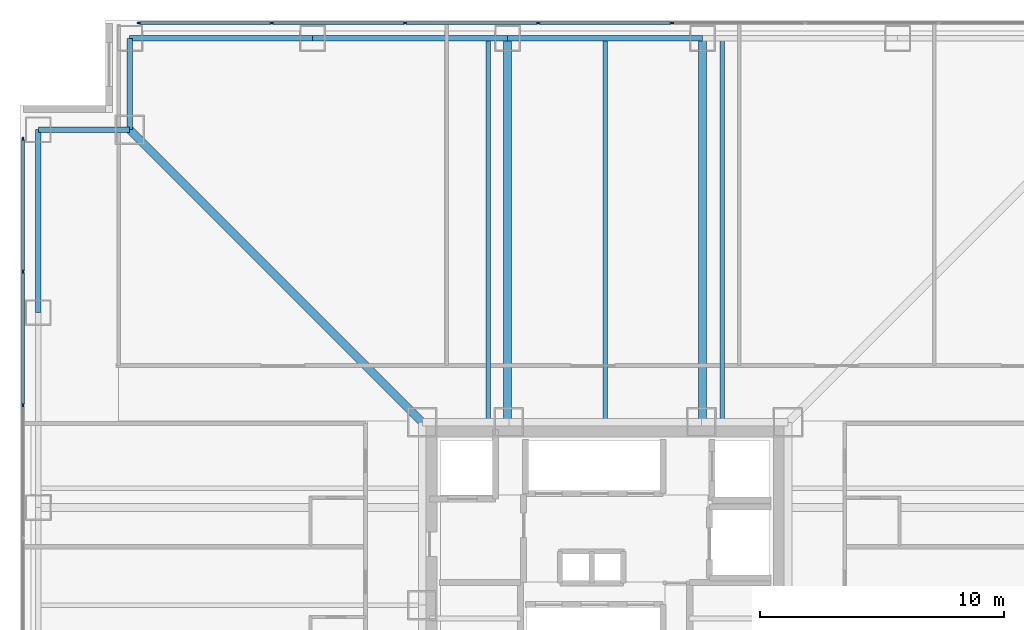
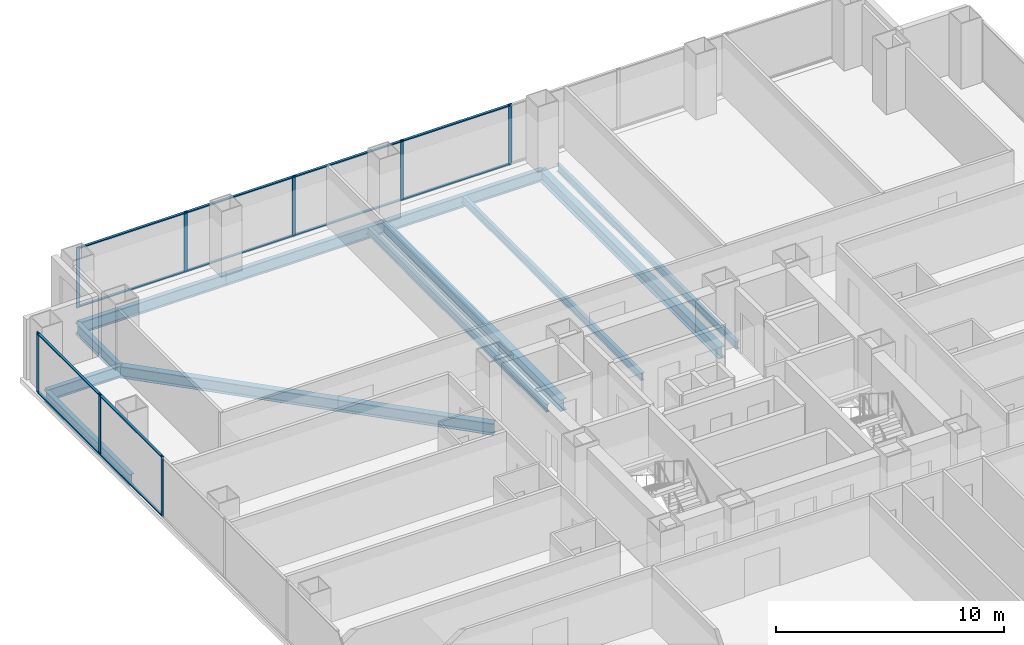
# One storey, part 8 of 16: 20 members, 12 beams, 2 elements without a shape of their own.
"""IFC4 building model written with IfcOpenShell, lengths in metres."""

from ifc_helpers import new_model, si_unit, direction, frame, origin, origin_2d, place, context, subcontext, project, spatial, rectangle, i_section, extrude, material, layer, layer_set, material_profile, profile_set, type_object, element, aggregate, save


model = new_model("IFC4")

# Units and contexts
model_context = context("Model", 3, precision=1e-05, world=origin(), true_north=direction((0.0, 1.0)))
body_context = subcontext(model_context, "Body", "Model", "MODEL_VIEW")
ifc_project = project(units=[si_unit("LENGTHUNIT", "METRE"), si_unit("AREAUNIT", "SQUARE_METRE"), si_unit("VOLUMEUNIT", "CUBIC_METRE"), si_unit("PLANEANGLEUNIT", "RADIAN"), si_unit("MASSUNIT", "GRAM", prefix="KILO")], contexts=[model_context])

# Site, building, storey
site_placement = place(None, origin())
site = spatial("IfcSite", under=ifc_project, at=site_placement, CompositionType="ELEMENT")
building_placement = place(site_placement, origin())
building = spatial("IfcBuilding", under=site, at=building_placement, Name="Trevonay Congress Spire", CompositionType="ELEMENT")
storey_placement = place(building_placement, frame((0.0, 0.0, 51.5)))
storey = spatial("IfcBuildingStorey", under=building, at=storey_placement, Name="L12", CompositionType="ELEMENT", Elevation=51.5)

# Beams
ifc_material_1 = material(Name="Steel ASTM A572 Grade 50", Category="steel")
ifc_material_profile_1 = material_profile(ifc_material_1, i_section(OverallWidth=0.324951171875, OverallDepth=0.615966796875, WebThickness=0.013916015625, FlangeThickness=0.021484375, FilletRadius=0.01806640625, at=origin_2d()), Name="W610x174")
ifc_profile_set_1 = profile_set([ifc_material_profile_1], Name="Steel ASTM A572 Grade 50")
beam_type_1 = type_object("IfcBeamType", Name="BM-GIRD-W610X174", PredefinedType="BEAM", material=ifc_profile_set_1)
beam_1_placement = place(storey_placement, frame((-7.5, 7.5, -0.55810546875), z_axis=(-0.707106781187, 0.707106781187, 0.0), x_axis=(-0.707106781187, -0.707106781187, 0.0)))
element("IfcBeam", 1, at=beam_1_placement, inside=storey, type_object=beam_type_1, Name="L12 structural beam BM-L12-CDNW", PredefinedType="BEAM", context=body_context, shape_type="SweptSolid", body=[
    extrude(i_section(OverallWidth=0.324951171875, OverallDepth=0.615966796875, WebThickness=0.013916015625, FlangeThickness=0.021484375, FilletRadius=0.01806640625, at=origin_2d()), origin(), (0.0, 0.0, 1.0), 16.970458984375),
])
for number, where, z_axis, x_axis, name in (
    (2, (-4.0, 7.5, -0.55810546875), (0.0, 1.0, 0.0), (-1.0, 0.0, 0.0), "L12 structural beam BM-L12-GN-M"),
    (3, (4.0, 7.5, -0.55810546875), (0.0, 1.0, 0.0), (-1.0, 0.0, 0.0), "L12 structural beam BM-L12-GN-P"),
):
    element("IfcBeam", number, at=place(storey_placement, frame(where, z_axis=z_axis, x_axis=x_axis)), inside=storey, type_object=beam_type_1, Name=name, PredefinedType="BEAM", context=body_context, shape_type="SweptSolid", body=[
        extrude(i_section(OverallWidth=0.324951171875, OverallDepth=0.615966796875, WebThickness=0.013916015625, FlangeThickness=0.021484375, FilletRadius=0.01806640625, at=origin_2d()), origin(), (0.0, 0.0, 1.0), 15.75),
    ])
ifc_material_profile_2 = material_profile(ifc_material_1, i_section(OverallWidth=0.22998046875, OverallDepth=0.616943359375, WebThickness=0.01318359375, FlangeThickness=0.022216796875, FilletRadius=0.01611328125, at=origin_2d()), Name="W610x140")
ifc_profile_set_2 = profile_set([ifc_material_profile_2], Name="Steel ASTM A572 Grade 50")
beam_type_2 = type_object("IfcBeamType", Name="BM-RING-W610X140", PredefinedType="BEAM", material=ifc_profile_set_2)
beam_2_placement = place(storey_placement, frame((-19.5, 23.25, -0.55859375), z_axis=(1.0, 0.0, 0.0), x_axis=(0.0, 1.0, 0.0)))
element("IfcBeam", 4, at=beam_2_placement, inside=storey, type_object=beam_type_2, Name="L12 structural beam BM-L12-PN1", PredefinedType="BEAM", context=body_context, shape_type="SweptSolid", body=[
    extrude(i_section(OverallWidth=0.22998046875, OverallDepth=0.616943359375, WebThickness=0.01318359375, FlangeThickness=0.022216796875, FilletRadius=0.01611328125, at=origin_2d()), origin(), (0.0, 0.0, 1.0), 7.5),
])
for number, where, z_axis, x_axis, name in (
    (5, (-12.0, 23.25, -0.55859375), (1.0, 0.0, 0.0), (0.0, 1.0, 0.0), "L12 structural beam BM-L12-PN2"),
    (6, (-4.0, 23.25, -0.55859375), (1.0, 0.0, 0.0), (0.0, 1.0, 0.0), "L12 structural beam BM-L12-PN3"),
):
    element("IfcBeam", number, at=place(storey_placement, frame(where, z_axis=z_axis, x_axis=x_axis)), inside=storey, type_object=beam_type_2, Name=name, PredefinedType="BEAM", context=body_context, shape_type="SweptSolid", body=[
        extrude(i_section(OverallWidth=0.22998046875, OverallDepth=0.616943359375, WebThickness=0.01318359375, FlangeThickness=0.022216796875, FilletRadius=0.01611328125, at=origin_2d()), origin(), (0.0, 0.0, 1.0), 8.0),
    ])
beam_3_placement = place(storey_placement, frame((-23.25, 12.0, -0.55859375), z_axis=(0.0, 1.0, 0.0), x_axis=(-1.0, 0.0, 0.0)))
element("IfcBeam", 7, at=beam_3_placement, inside=storey, type_object=beam_type_2, Name="L12 structural beam BM-L12-PW5", PredefinedType="BEAM", context=body_context, shape_type="SweptSolid", body=[
    extrude(i_section(OverallWidth=0.22998046875, OverallDepth=0.616943359375, WebThickness=0.01318359375, FlangeThickness=0.022216796875, FilletRadius=0.01611328125, at=origin_2d()), origin(), (0.0, 0.0, 1.0), 7.5),
])
for number, where, z_axis, x_axis, name in (
    (8, (-19.5, 23.25, -0.55859375), (0.0, -1.0, 0.0), (1.0, 0.0, 0.0), "L12 structural beam BM-L12-N1NW"),
    (9, (-23.25, 19.5, -0.55859375), (1.0, 0.0, 0.0), (0.0, 1.0, 0.0), "L12 structural beam BM-L12-N2NW"),
):
    element("IfcBeam", number, at=place(storey_placement, frame(where, z_axis=z_axis, x_axis=x_axis)), inside=storey, type_object=beam_type_2, Name=name, PredefinedType="BEAM", context=body_context, shape_type="SweptSolid", body=[
        extrude(i_section(OverallWidth=0.22998046875, OverallDepth=0.616943359375, WebThickness=0.01318359375, FlangeThickness=0.022216796875, FilletRadius=0.01611328125, at=origin_2d()), origin(), (0.0, 0.0, 1.0), 3.75),
    ])

# Curtain wall, members
ifc_material_2 = material(Name="Pale Anodised Aluminium EN AW-6063-T6", Category="aluminium")
ifc_layer = layer(ifc_material_2, 0.179931640625, Name="Pale Anodised Aluminium EN AW-6063-T6")
ifc_layer_set = layer_set([ifc_layer], Name="Pale Anodised Aluminium EN AW-6063-T6")
curtain_wall_type = type_object("IfcCurtainWallType", Name="CW-SYS02-HOTEL-PALE-METAL", PredefinedType="NOTDEFINED", material=ifc_layer_set)
curtain_wall_1_placement = place(storey_placement, origin())
curtain_wall_1 = element("IfcCurtainWall", 10, at=curtain_wall_1_placement, inside=storey, type_object=curtain_wall_type, Name="L12 N unitised curtain wall", PredefinedType="NOTDEFINED")
ifc_material_profile_3 = material_profile(ifc_material_2, rectangle(XDim=0.06005859375, YDim=0.159912109375, at=origin_2d()), Name="CW-MULLION-160-ALUMINIUM")
ifc_profile_set_3 = profile_set([ifc_material_profile_3], Name="Pale Anodised Aluminium EN AW-6063-T6")
member_type_1 = type_object("IfcMemberType", Name="CW-MULLION-160-ALUMINIUM", PredefinedType="MULLION", material=ifc_profile_set_3)
member_1_placement = place(storey_placement, frame((-19.1201171875, 23.8798828125, 0.0), z_axis=(0.0, 0.0, 1.0), x_axis=(0.0, 1.0, 0.0)))
member_1 = element("IfcMember", 11, at=member_1_placement, type_object=member_type_1, Name="CW02 mullion 1", PredefinedType="MULLION", context=body_context, shape_type="SweptSolid", body=[
    extrude(rectangle(XDim=0.06005859375, YDim=0.159912109375, at=origin_2d()), origin(), (0.0, 0.0, 1.0), 3.25),
])
member_2_placement = place(storey_placement, frame((-13.678466796875, 23.8798828125, 0.0), z_axis=(0.0, 0.0, 1.0), x_axis=(0.0, 1.0, 0.0)))
member_2 = element("IfcMember", 12, at=member_2_placement, type_object=member_type_1, Name="CW02 mullion 2", PredefinedType="MULLION", context=body_context, shape_type="SweptSolid", body=[
    extrude(rectangle(XDim=0.06005859375, YDim=0.159912109375, at=origin_2d()), origin(), (0.0, 0.0, 1.0), 3.25),
])
member_3_placement = place(storey_placement, frame((-8.20703125, 23.8798828125, 0.0), z_axis=(0.0, 0.0, 1.0), x_axis=(0.0, 1.0, 0.0)))
member_3 = element("IfcMember", 13, at=member_3_placement, type_object=member_type_1, Name="CW02 mullion 3", PredefinedType="MULLION", context=body_context, shape_type="SweptSolid", body=[
    extrude(rectangle(XDim=0.06005859375, YDim=0.159912109375, at=origin_2d()), origin(), (0.0, 0.0, 1.0), 3.25),
])
member_4_placement = place(storey_placement, frame((-2.735595703125, 23.8798828125, 0.0), z_axis=(0.0, 0.0, 1.0), x_axis=(0.0, 1.0, 0.0)))
member_4 = element("IfcMember", 14, at=member_4_placement, type_object=member_type_1, Name="CW02 mullion 4", PredefinedType="MULLION", context=body_context, shape_type="SweptSolid", body=[
    extrude(rectangle(XDim=0.06005859375, YDim=0.159912109375, at=origin_2d()), origin(), (0.0, 0.0, 1.0), 3.25),
])
member_5_placement = place(storey_placement, frame((2.735595703125, 23.8798828125, 0.0), z_axis=(0.0, 0.0, 1.0), x_axis=(0.0, 1.0, 0.0)))
member_5 = element("IfcMember", 15, at=member_5_placement, type_object=member_type_1, Name="CW02 mullion 5", PredefinedType="MULLION", context=body_context, shape_type="SweptSolid", body=[
    extrude(rectangle(XDim=0.06005859375, YDim=0.159912109375, at=origin_2d()), origin(), (0.0, 0.0, 1.0), 3.25),
])

curtain_wall_2_placement = place(storey_placement, origin())
curtain_wall_2 = element("IfcCurtainWall", 16, at=curtain_wall_2_placement, inside=storey, type_object=curtain_wall_type, Name="L12 W unitised curtain wall", PredefinedType="NOTDEFINED")
member_6_placement = place(storey_placement, frame((-23.8798828125, 8.20703125, 0.0), z_axis=(0.0, 0.0, 1.0), x_axis=(-1.0, 0.0, 0.0)))
member_6 = element("IfcMember", 17, at=member_6_placement, type_object=member_type_1, Name="CW02 mullion 6", PredefinedType="MULLION", context=body_context, shape_type="SweptSolid", body=[
    extrude(rectangle(XDim=0.06005859375, YDim=0.159912109375, at=origin_2d()), origin(), (0.0, 0.0, 1.0), 3.25),
])
member_7_placement = place(storey_placement, frame((-23.8798828125, 13.678466796875, 0.0), z_axis=(0.0, 0.0, 1.0), x_axis=(-1.0, 0.0, 0.0)))
member_7 = element("IfcMember", 18, at=member_7_placement, type_object=member_type_1, Name="CW02 mullion 7", PredefinedType="MULLION", context=body_context, shape_type="SweptSolid", body=[
    extrude(rectangle(XDim=0.06005859375, YDim=0.159912109375, at=origin_2d()), origin(), (0.0, 0.0, 1.0), 3.25),
])
member_8_placement = place(storey_placement, frame((-23.8798828125, 19.1201171875, 0.0), z_axis=(0.0, 0.0, 1.0), x_axis=(-1.0, 0.0, 0.0)))
member_8 = element("IfcMember", 19, at=member_8_placement, type_object=member_type_1, Name="CW02 mullion 8", PredefinedType="MULLION", context=body_context, shape_type="SweptSolid", body=[
    extrude(rectangle(XDim=0.06005859375, YDim=0.159912109375, at=origin_2d()), origin(), (0.0, 0.0, 1.0), 3.25),
])

# Member
ifc_material_profile_4 = material_profile(ifc_material_2, rectangle(XDim=0.1201171875, YDim=0.06005859375, at=origin_2d()), Name="CW-TRANSOM-120-ALUMINIUM")
ifc_profile_set_4 = profile_set([ifc_material_profile_4], Name="Pale Anodised Aluminium EN AW-6063-T6")
member_type_2 = type_object("IfcMemberType", Name="CW-TRANSOM-120-ALUMINIUM", PredefinedType="USERDEFINED", material=ifc_profile_set_4)
member_9_placement = place(storey_placement, frame((-19.090087890625, 23.8798828125, 0.06005859375), z_axis=(1.0, 0.0, 0.0), x_axis=(0.0, 1.0, 0.0)))
member_9 = element("IfcMember", 20, at=member_9_placement, type_object=member_type_2, Name="CW02 transom 1.1", ObjectType="TRANSOM", PredefinedType="USERDEFINED", context=body_context, shape_type="SweptSolid", body=[
    extrude(rectangle(XDim=0.1201171875, YDim=0.06005859375, at=origin_2d()), origin(), (0.0, 0.0, 1.0), 5.381591796875),
])

member_10_placement = place(storey_placement, frame((-19.090087890625, 23.8798828125, 3.18994140625), z_axis=(1.0, 0.0, 0.0), x_axis=(0.0, 1.0, 0.0)))
member_10 = element("IfcMember", 21, at=member_10_placement, type_object=member_type_2, Name="CW02 transom 1.2", ObjectType="TRANSOM", PredefinedType="USERDEFINED", context=body_context, shape_type="SweptSolid", body=[
    extrude(rectangle(XDim=0.1201171875, YDim=0.06005859375, at=origin_2d()), origin(), (0.0, 0.0, 1.0), 5.381591796875),
])

member_11_placement = place(storey_placement, frame((-13.648681640625, 23.8798828125, 0.06005859375), z_axis=(1.0, 0.0, 0.0), x_axis=(0.0, 1.0, 0.0)))
member_11 = element("IfcMember", 22, at=member_11_placement, type_object=member_type_2, Name="CW02 transom 2.1", ObjectType="TRANSOM", PredefinedType="USERDEFINED", context=body_context, shape_type="SweptSolid", body=[
    extrude(rectangle(XDim=0.1201171875, YDim=0.06005859375, at=origin_2d()), origin(), (0.0, 0.0, 1.0), 5.41162109375),
])

member_12_placement = place(storey_placement, frame((-13.648681640625, 23.8798828125, 3.18994140625), z_axis=(1.0, 0.0, 0.0), x_axis=(0.0, 1.0, 0.0)))
member_12 = element("IfcMember", 23, at=member_12_placement, type_object=member_type_2, Name="CW02 transom 2.2", ObjectType="TRANSOM", PredefinedType="USERDEFINED", context=body_context, shape_type="SweptSolid", body=[
    extrude(rectangle(XDim=0.1201171875, YDim=0.06005859375, at=origin_2d()), origin(), (0.0, 0.0, 1.0), 5.41162109375),
])

member_13_placement = place(storey_placement, frame((-8.17724609375, 23.8798828125, 0.06005859375), z_axis=(1.0, 0.0, 0.0), x_axis=(0.0, 1.0, 0.0)))
member_13 = element("IfcMember", 24, at=member_13_placement, type_object=member_type_2, Name="CW02 transom 3.1", ObjectType="TRANSOM", PredefinedType="USERDEFINED", context=body_context, shape_type="SweptSolid", body=[
    extrude(rectangle(XDim=0.1201171875, YDim=0.06005859375, at=origin_2d()), origin(), (0.0, 0.0, 1.0), 5.41162109375),
])

member_14_placement = place(storey_placement, frame((-8.17724609375, 23.8798828125, 3.18994140625), z_axis=(1.0, 0.0, 0.0), x_axis=(0.0, 1.0, 0.0)))
member_14 = element("IfcMember", 25, at=member_14_placement, type_object=member_type_2, Name="CW02 transom 3.2", ObjectType="TRANSOM", PredefinedType="USERDEFINED", context=body_context, shape_type="SweptSolid", body=[
    extrude(rectangle(XDim=0.1201171875, YDim=0.06005859375, at=origin_2d()), origin(), (0.0, 0.0, 1.0), 5.41162109375),
])

member_15_placement = place(storey_placement, frame((-2.705810546875, 23.8798828125, 0.06005859375), z_axis=(1.0, 0.0, 0.0), x_axis=(0.0, 1.0, 0.0)))
member_15 = element("IfcMember", 26, at=member_15_placement, type_object=member_type_2, Name="CW02 transom 4.1", ObjectType="TRANSOM", PredefinedType="USERDEFINED", context=body_context, shape_type="SweptSolid", body=[
    extrude(rectangle(XDim=0.1201171875, YDim=0.06005859375, at=origin_2d()), origin(), (0.0, 0.0, 1.0), 5.41162109375),
])

member_16_placement = place(storey_placement, frame((-2.705810546875, 23.8798828125, 3.18994140625), z_axis=(1.0, 0.0, 0.0), x_axis=(0.0, 1.0, 0.0)))
member_16 = element("IfcMember", 27, at=member_16_placement, type_object=member_type_2, Name="CW02 transom 4.2", ObjectType="TRANSOM", PredefinedType="USERDEFINED", context=body_context, shape_type="SweptSolid", body=[
    extrude(rectangle(XDim=0.1201171875, YDim=0.06005859375, at=origin_2d()), origin(), (0.0, 0.0, 1.0), 5.41162109375),
])

aggregate(curtain_wall_1, [member_1, member_2, member_3, member_4, member_5, member_9, member_10, member_11, member_12, member_13, member_14, member_15, member_16])

member_17_placement = place(storey_placement, frame((-23.8798828125, 8.237060546875, 0.06005859375), z_axis=(0.0, 1.0, 0.0), x_axis=(-1.0, 0.0, 0.0)))
member_17 = element("IfcMember", 28, at=member_17_placement, type_object=member_type_2, Name="CW02 transom 6.1", ObjectType="TRANSOM", PredefinedType="USERDEFINED", context=body_context, shape_type="SweptSolid", body=[
    extrude(rectangle(XDim=0.1201171875, YDim=0.06005859375, at=origin_2d()), origin(), (0.0, 0.0, 1.0), 5.41162109375),
])

member_18_placement = place(storey_placement, frame((-23.8798828125, 8.237060546875, 3.18994140625), z_axis=(0.0, 1.0, 0.0), x_axis=(-1.0, 0.0, 0.0)))
member_18 = element("IfcMember", 29, at=member_18_placement, type_object=member_type_2, Name="CW02 transom 6.2", ObjectType="TRANSOM", PredefinedType="USERDEFINED", context=body_context, shape_type="SweptSolid", body=[
    extrude(rectangle(XDim=0.1201171875, YDim=0.06005859375, at=origin_2d()), origin(), (0.0, 0.0, 1.0), 5.41162109375),
])

member_19_placement = place(storey_placement, frame((-23.8798828125, 13.70849609375, 0.06005859375), z_axis=(0.0, 1.0, 0.0), x_axis=(-1.0, 0.0, 0.0)))
member_19 = element("IfcMember", 30, at=member_19_placement, type_object=member_type_2, Name="CW02 transom 7.1", ObjectType="TRANSOM", PredefinedType="USERDEFINED", context=body_context, shape_type="SweptSolid", body=[
    extrude(rectangle(XDim=0.1201171875, YDim=0.06005859375, at=origin_2d()), origin(), (0.0, 0.0, 1.0), 5.381591796875),
])

member_20_placement = place(storey_placement, frame((-23.8798828125, 13.70849609375, 3.18994140625), z_axis=(0.0, 1.0, 0.0), x_axis=(-1.0, 0.0, 0.0)))
member_20 = element("IfcMember", 31, at=member_20_placement, type_object=member_type_2, Name="CW02 transom 7.2", ObjectType="TRANSOM", PredefinedType="USERDEFINED", context=body_context, shape_type="SweptSolid", body=[
    extrude(rectangle(XDim=0.1201171875, YDim=0.06005859375, at=origin_2d()), origin(), (0.0, 0.0, 1.0), 5.381591796875),
])

aggregate(curtain_wall_2, [member_6, member_7, member_8, member_17, member_18, member_19, member_20])

# Beams
ifc_material_profile_5 = material_profile(ifc_material_1, i_section(OverallWidth=0.177978515625, OverallDepth=0.406982421875, WebThickness=0.0078125, FlangeThickness=0.0126953125, FilletRadius=0.012939453125, at=origin_2d()), Name="W410x60")
ifc_profile_set_5 = profile_set([ifc_material_profile_5], Name="Steel ASTM A572 Grade 50")
beam_type_3 = type_object("IfcBeamType", Name="JS-COMP-W410X60", PredefinedType="JOIST", material=ifc_profile_set_5)
for number, where, z_axis, x_axis, name in (
    (32, (-4.800048828125, 7.5, -0.45361328125), (0.0, 1.0, 0.0), (-1.0, 0.0, 0.0), "L12 structural beam JS-L12-NS-N1"),
    (33, (0.0, 7.5, -0.45361328125), (0.0, 1.0, 0.0), (-1.0, 0.0, 0.0), "L12 structural beam JS-L12-NS-N2"),
    (34, (4.800048828125, 7.5, -0.45361328125), (0.0, 1.0, 0.0), (-1.0, 0.0, 0.0), "L12 structural beam JS-L12-NS-N3"),
):
    element("IfcBeam", number, at=place(storey_placement, frame(where, z_axis=z_axis, x_axis=x_axis)), inside=storey, type_object=beam_type_3, Name=name, PredefinedType="JOIST", context=body_context, shape_type="SweptSolid", body=[
        extrude(i_section(OverallWidth=0.177978515625, OverallDepth=0.406982421875, WebThickness=0.0078125, FlangeThickness=0.0126953125, FilletRadius=0.012939453125, at=origin_2d()), origin(), (0.0, 0.0, 1.0), 15.75),
    ])

save(model, "model.ifc")
